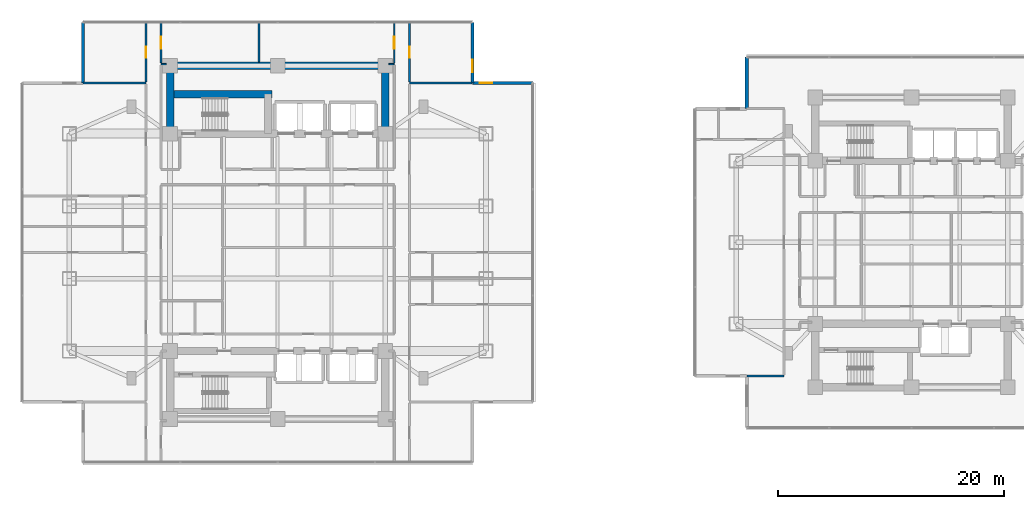
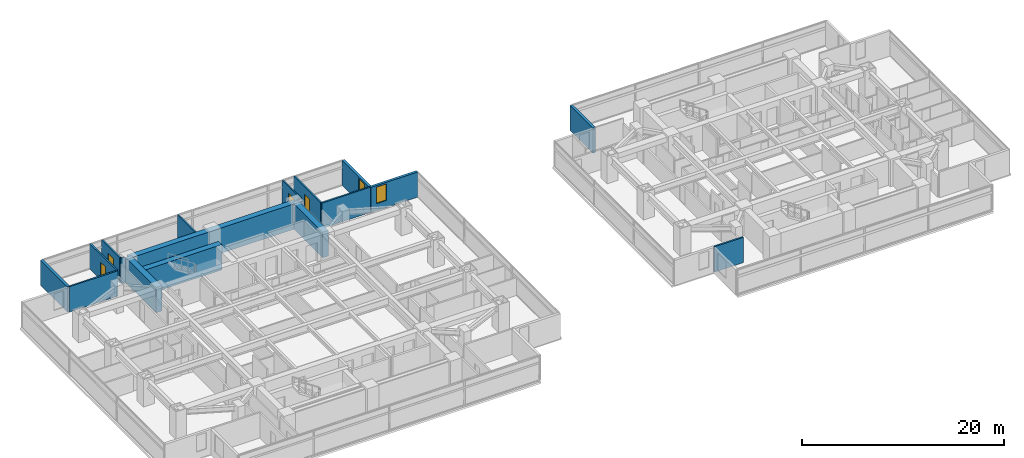
# One storey, part 17 of 27: 18 walls, 4 doors, 2 windows, 6 openings.
"""IFC4 building model written with IfcOpenShell, lengths in metres."""

from ifc_helpers import new_model, si_unit, direction, frame, frame_2d, origin, place, context, subcontext, project, spatial, rectangle, extrude, material, layer, layer_set, type_object, element, fill, save


model = new_model("IFC4")

# Units and contexts
model_context = context("Model", 3, precision=1e-05, world=origin(), true_north=direction((0.0, 1.0)))
body_context = subcontext(model_context, "Body", "Model", "MODEL_VIEW")
ifc_project = project(units=[si_unit("LENGTHUNIT", "METRE"), si_unit("AREAUNIT", "SQUARE_METRE"), si_unit("VOLUMEUNIT", "CUBIC_METRE"), si_unit("PLANEANGLEUNIT", "RADIAN"), si_unit("MASSUNIT", "GRAM", prefix="KILO")], contexts=[model_context])

# Site, building, storey
site_placement = place(None, origin())
site = spatial("IfcSite", under=ifc_project, at=site_placement, CompositionType="ELEMENT")
building_placement = place(site_placement, origin())
building = spatial("IfcBuilding", under=site, at=building_placement, Name="Mirazonda Arch Towers", CompositionType="ELEMENT")
storey_placement = place(building_placement, frame((0.0, 0.0, 75.199951171875)))
storey = spatial("IfcBuildingStorey", under=building, at=storey_placement, Name="L21", CompositionType="ELEMENT", Elevation=75.199951171875)

# Walls
ifc_material_1 = material(Name="Concrete C60/75", Category="concrete")
ifc_layer_1 = layer(ifc_material_1, 0.64990234375, Name="WALL-CORE-650")
ifc_layer_set_1 = layer_set([ifc_layer_1], Name="Concrete C60/75")
wall_type_1 = type_object("IfcWallType", Name="WALL-CORE-650", PredefinedType="SHEAR", material=ifc_layer_set_1)
wall_1_placement = place(storey_placement, frame((11.0, 43.60009765625, 0.0), z_axis=(0.0, 0.0, 1.0), x_axis=(1.0, 0.0, 0.0)))
element("IfcWall", 1, at=wall_1_placement, inside=storey, type_object=wall_type_1, Name="L21 T1N-N Core Shear Wall", PredefinedType="SHEAR", context=body_context, shape_type="SweptSolid", body=[
    extrude(rectangle(XDim=19.0, YDim=0.64990234375, at=frame_2d((9.5, 0.0))), origin(), (0.0, 0.0, 1.0), 3.06005859375),
])
for number, where, z_axis, x_axis, name in (
    (2, (11.0, 37.60009765625, 0.0), (0.0, 0.0, 1.0), (0.0, 1.0, 0.0), "L21 T1N-W Core Shear Wall"),
    (3, (30.0, 37.60009765625, 0.0), (0.0, 0.0, 1.0), (0.0, 1.0, 0.0), "L21 T1N-E Core Shear Wall"),
):
    element("IfcWall", number, at=place(storey_placement, frame(where, z_axis=z_axis, x_axis=x_axis)), inside=storey, type_object=wall_type_1, Name=name, PredefinedType="SHEAR", context=body_context, shape_type="SweptSolid", body=[
        extrude(rectangle(XDim=6.0, YDim=0.64990234375, at=frame_2d((3.0, 0.0))), origin(), (0.0, 0.0, 1.0), 3.06005859375),
    ])
wall_2_placement = place(storey_placement, frame((11.0, 41.093017578125, 0.0), z_axis=(0.0, 0.0, 1.0), x_axis=(1.0, 0.0, 0.0)))
element("IfcWall", 4, at=wall_2_placement, inside=storey, type_object=wall_type_1, Name="L21 T1N-STN Core Shear Wall", PredefinedType="SHEAR", context=body_context, shape_type="SweptSolid", body=[
    extrude(rectangle(XDim=9.0, YDim=0.64990234375, at=frame_2d((4.5, 0.0))), origin(), (0.0, 0.0, 1.0), 3.06005859375),
])

# Wall, opening, window
ifc_material_2 = material(Name="Precast Concrete C40/50", Category="concrete")
ifc_layer_2 = layer(ifc_material_2, 0.280029296875, Name="WALL-EXT-WALL-280")
ifc_layer_set_2 = layer_set([ifc_layer_2], Name="Precast Concrete C40/50")
wall_type_2 = type_object("IfcWallType", Name="WALL-EXT-WALL-280", PredefinedType="SOLIDWALL", material=ifc_layer_set_2)
wall_3_placement = place(storey_placement, frame((37.699951171875, 42.0859375, 0.0), z_axis=(0.0, 0.0, 1.0), x_axis=(0.0, 1.0, 0.0)))
wall_3 = element("IfcWall", 5, at=wall_3_placement, inside=storey, type_object=wall_type_2, Name="L21 T1 Notched NE Corner Wall WL-L21-T1-CNE", PredefinedType="SOLIDWALL", context=body_context, shape_type="SweptSolid", body=[
    extrude(rectangle(XDim=5.340087890625, YDim=0.280029296875, at=frame_2d((2.669921875, 0.0))), origin(), (0.0, 0.0, 1.0), 3.0400390625),
])
opening_1_placement = place(wall_3_placement, frame((0.949951171875, 0.0, 0.85009765625)))
opening_1 = element("IfcOpeningElement", 6, at=opening_1_placement, cuts=wall_3, Name="Opening WN-108", PredefinedType="OPENING", context=body_context, shape_type="SweptSolid", body=[
    extrude(rectangle(XDim=1.10009765625, YDim=2.0, at=frame_2d((0.550048828125, 1.0))), frame((0.0, 0.14990234375, 0.0), z_axis=(0.0, -1.0, 0.0), x_axis=(1.0, 0.0, 0.0)), (0.0, 0.0, 1.0), 0.300048828125),
])
ifc_material_3 = material(Name="Insulated Low-E Solar Glass", Category="glass")
window_type = type_object("IfcWindowType", Name="WIN-NOTCH-1100x2000", PartitioningType="SINGLE_PANEL", PredefinedType="WINDOW", material=ifc_material_3)
window_1_placement = place(opening_1_placement, origin())
window_1 = element("IfcWindow", 7, at=window_1_placement, inside=storey, type_object=window_type, Name="L21 Punched Facade Window WN-L21-T1-CNE", OverallHeight=2.0, OverallWidth=1.10009765625, PartitioningType="SINGLE_PANEL", PredefinedType="WINDOW", context=body_context, shape_type="SweptSolid", body=[
    extrude(rectangle(XDim=1.10009765625, YDim=2.0, at=frame_2d((0.550048828125, 1.0))), frame((0.0, 0.030029296875, 0.0), z_axis=(0.0, -1.0, 0.0), x_axis=(1.0, 0.0, 0.0)), (0.0, 0.0, 1.0), 0.06005859375),
])
fill(opening_1, window_1)

# Wall
wall_4_placement = place(storey_placement, frame((3.300048828125, 47.426025390625, 0.0), z_axis=(0.0, 0.0, 1.0), x_axis=(0.0, -1.0, 0.0)))
element("IfcWall", 8, at=wall_4_placement, inside=storey, type_object=wall_type_2, Name="L21 T1 Corner Notch Return Wall WL-L21-T1-CNW2", PredefinedType="SOLIDWALL", context=body_context, shape_type="SweptSolid", body=[
    extrude(rectangle(XDim=5.340087890625, YDim=0.280029296875, at=frame_2d((2.669921875, 0.0))), origin(), (0.0, 0.0, 1.0), 3.0400390625),
])

# Wall, opening, window
wall_5_placement = place(storey_placement, frame((43.0400390625, 42.0859375, 0.0), z_axis=(0.0, 0.0, 1.0), x_axis=(-1.0, 0.0, 0.0)))
wall_5 = element("IfcWall", 9, at=wall_5_placement, inside=storey, type_object=wall_type_2, Name="L21 T1 Corner Notch Return Wall WL-L21-T1-CNE2", PredefinedType="SOLIDWALL", context=body_context, shape_type="SweptSolid", body=[
    extrude(rectangle(XDim=5.340087890625, YDim=0.280029296875, at=frame_2d((2.669921875, 0.0))), origin(), (0.0, 0.0, 1.0), 3.0400390625),
])
opening_2_placement = place(wall_5_placement, frame((3.590087890625, 0.0, 0.85009765625)))
opening_2 = element("IfcOpeningElement", 10, at=opening_2_placement, cuts=wall_5, Name="Opening WN-108", PredefinedType="OPENING", context=body_context, shape_type="SweptSolid", body=[
    extrude(rectangle(XDim=1.10009765625, YDim=2.0, at=frame_2d((0.550048828125, 1.0))), frame((0.0, 0.14990234375, 0.0), z_axis=(0.0, -1.0, 0.0), x_axis=(1.0, 0.0, 0.0)), (0.0, 0.0, 1.0), 0.300048828125),
])
window_2_placement = place(opening_2_placement, origin())
window_2 = element("IfcWindow", 11, at=window_2_placement, inside=storey, type_object=window_type, Name="L21 Punched Facade Window WN-L21-T1-CNE2", OverallHeight=2.0, OverallWidth=1.10009765625, PartitioningType="SINGLE_PANEL", PredefinedType="WINDOW", context=body_context, shape_type="SweptSolid", body=[
    extrude(rectangle(XDim=1.10009765625, YDim=2.0, at=frame_2d((0.550048828125, 1.0))), frame((0.0, 0.030029296875, 0.0), z_axis=(0.0, -1.0, 0.0), x_axis=(1.0, 0.0, 0.0)), (0.0, 0.0, 1.0), 0.06005859375),
])
fill(opening_2, window_2)

# Walls
wall_6_placement = place(storey_placement, frame((61.93994140625, 44.359130859375, 0.0), z_axis=(0.0, 0.0, 1.0), x_axis=(0.0, -1.0, 0.0)))
element("IfcWall", 12, at=wall_6_placement, inside=storey, type_object=wall_type_2, Name="L21 T2 Corner Notch Return Wall WL-L21-T2-CNW2", PredefinedType="SOLIDWALL", context=body_context, shape_type="SweptSolid", body=[
    extrude(rectangle(XDim=4.546142578125, YDim=0.280029296875, at=frame_2d((2.27294921875, 0.0))), origin(), (0.0, 0.0, 1.0), 3.0400390625),
])
ifc_material_4 = material(Name="Fire-Rated Gypsum Stud Partition")
ifc_layer_3 = layer(ifc_material_4, 0.14990234375, Name="WALL-PART-CORR-150")
ifc_layer_set_3 = layer_set([ifc_layer_3], Name="Fire-Rated Gypsum Stud Partition")
wall_type_3 = type_object("IfcWallType", Name="WALL-PART-CORR-150", PredefinedType="PARTITIONING", material=ifc_layer_set_3)
for number, where, z_axis, x_axis, name in (
    (13, (10.199951171875, 43.75, 0.0), (0.0, 0.0, 1.0), (1.0, 0.0, 0.0), "L21 Interior Partition 055"),
    (14, (30.320068359375, 43.75, 0.0), (0.0, 0.0, 1.0), (1.0, 0.0, 0.0), "L21 Interior Partition 056"),
):
    element("IfcWall", number, at=place(storey_placement, frame(where, z_axis=z_axis, x_axis=x_axis)), inside=storey, type_object=wall_type_3, Name=name, PredefinedType="PARTITIONING", context=body_context, shape_type="SweptSolid", body=[
        extrude(rectangle(XDim=0.47998046875, YDim=0.14990234375, at=frame_2d((0.239990234375, 0.0))), origin(), (0.0, 0.0, 1.0), 3.06005859375),
    ])

# Wall, opening, door
wall_7_placement = place(storey_placement, frame((10.199951171875, 43.8349609375, 0.0), z_axis=(0.0, 0.0, 1.0), x_axis=(0.0, 1.0, 0.0)))
wall_7 = element("IfcWall", 15, at=wall_7_placement, inside=storey, type_object=wall_type_3, Name="L21 Interior Partition 070", PredefinedType="PARTITIONING", context=body_context, shape_type="SweptSolid", body=[
    extrude(rectangle(XDim=3.591064453125, YDim=0.14990234375, at=frame_2d((1.79541015625, 0.0))), origin(), (0.0, 0.0, 1.0), 3.06005859375),
])
opening_3_placement = place(wall_7_placement, frame((1.2705078125, 0.0, 0.0)))
opening_3 = element("IfcOpeningElement", 16, at=opening_3_placement, cuts=wall_7, Name="Opening DR-121", PredefinedType="OPENING", context=body_context, shape_type="SweptSolid", body=[
    extrude(rectangle(XDim=1.050048828125, YDim=2.199951171875, at=frame_2d((0.52490234375, 1.10009765625))), frame((0.0, 0.0849609375, 0.0), z_axis=(0.0, -1.0, 0.0), x_axis=(1.0, 0.0, 0.0)), (0.0, 0.0, 1.0), 0.169921875),
])
ifc_material_5 = material(Name="Architectural Brushed Steel S355", Category="steel")
door_type_1 = type_object("IfcDoorType", Name="DOOR-SUITE-FD60-1050", OperationType="NOTDEFINED", PredefinedType="DOOR", material=ifc_material_5)
door_1_placement = place(opening_3_placement, origin())
door_1 = element("IfcDoor", 17, at=door_1_placement, inside=storey, type_object=door_type_1, Name="L21 North Reading Salon West Door", OperationType="SINGLE_SWING_LEFT", OverallHeight=2.199951171875, OverallWidth=1.050048828125, PredefinedType="DOOR", context=body_context, shape_type="SweptSolid", body=[
    extrude(rectangle(XDim=1.050048828125, YDim=2.199951171875, at=frame_2d((0.52490234375, 1.10009765625))), frame((0.0, 0.02490234375, 0.0), z_axis=(0.0, -1.0, 0.0), x_axis=(1.0, 0.0, 0.0)), (0.0, 0.0, 1.0), 0.050048828125),
])
fill(opening_3, door_1)

# Wall
wall_8_placement = place(storey_placement, frame((18.85205078125, 43.919921875, 0.0), z_axis=(0.0, 0.0, 1.0), x_axis=(0.0, 1.0, 0.0)))
element("IfcWall", 18, at=wall_8_placement, inside=storey, type_object=wall_type_3, Name="L21 Interior Partition 077", PredefinedType="PARTITIONING", context=body_context, shape_type="SweptSolid", body=[
    extrude(rectangle(XDim=3.506103515625, YDim=0.14990234375, at=frame_2d((1.7529296875, 0.0))), origin(), (0.0, 0.0, 1.0), 3.06005859375),
])

# Wall, opening, door
wall_9_placement = place(storey_placement, frame((30.800048828125, 43.8349609375, 0.0), z_axis=(0.0, 0.0, 1.0), x_axis=(0.0, 1.0, 0.0)))
wall_9 = element("IfcWall", 19, at=wall_9_placement, inside=storey, type_object=wall_type_3, Name="L21 Interior Partition 097", PredefinedType="PARTITIONING", context=body_context, shape_type="SweptSolid", body=[
    extrude(rectangle(XDim=3.591064453125, YDim=0.14990234375, at=frame_2d((1.79541015625, 0.0))), origin(), (0.0, 0.0, 1.0), 3.06005859375),
])
opening_4_placement = place(wall_9_placement, frame((1.2705078125, 0.0, 0.0)))
opening_4 = element("IfcOpeningElement", 20, at=opening_4_placement, cuts=wall_9, Name="Opening DR-121", PredefinedType="OPENING", context=body_context, shape_type="SweptSolid", body=[
    extrude(rectangle(XDim=1.050048828125, YDim=2.199951171875, at=frame_2d((0.52490234375, 1.10009765625))), frame((0.0, 0.0849609375, 0.0), z_axis=(0.0, -1.0, 0.0), x_axis=(1.0, 0.0, 0.0)), (0.0, 0.0, 1.0), 0.169921875),
])
door_2_placement = place(opening_4_placement, origin())
door_2 = element("IfcDoor", 21, at=door_2_placement, inside=storey, type_object=door_type_1, Name="L21 North Reading Salon East Door", OperationType="SINGLE_SWING_RIGHT", OverallHeight=2.199951171875, OverallWidth=1.050048828125, PredefinedType="DOOR", context=body_context, shape_type="SweptSolid", body=[
    extrude(rectangle(XDim=1.050048828125, YDim=2.199951171875, at=frame_2d((0.52490234375, 1.10009765625))), frame((0.0, 0.02490234375, 0.0), z_axis=(0.0, -1.0, 0.0), x_axis=(1.0, 0.0, 0.0)), (0.0, 0.0, 1.0), 0.050048828125),
])
fill(opening_4, door_2)

# Walls
ifc_material_6 = material(Name="Fire-Rated Gypsum Twin-Stud Assembly")
ifc_layer_4 = layer(ifc_material_6, 0.179931640625, Name="WALL-PART-DEMISE-180")
ifc_layer_set_4 = layer_set([ifc_layer_4], Name="Fire-Rated Gypsum Twin-Stud Assembly")
wall_type_4 = type_object("IfcWallType", Name="WALL-PART-DEMISE-180", PredefinedType="PARTITIONING", material=ifc_layer_set_4)
wall_10_placement = place(storey_placement, frame((61.9599609375, 16.18701171875, 0.0), z_axis=(0.0, 0.0, 1.0), x_axis=(1.0, 0.0, 0.0)))
element("IfcWall", 22, at=wall_10_placement, inside=storey, type_object=wall_type_4, Name="L21 Interior Partition 009", PredefinedType="PARTITIONING", context=body_context, shape_type="SweptSolid", body=[
    extrude(rectangle(XDim=3.2900390625, YDim=0.179931640625, at=frame_2d((1.64501953125, 0.0))), origin(), (0.0, 0.0, 1.0), 3.06005859375),
])
for number, where, z_axis, x_axis, name in (
    (23, (3.320068359375, 42.0859375, 0.0), (0.0, 0.0, 1.0), (1.0, 0.0, 0.0), "L21 Interior Partition 053"),
    (24, (32.139892578125, 42.0859375, 0.0), (0.0, 0.0, 1.0), (1.0, 0.0, 0.0), "L21 Interior Partition 054"),
):
    element("IfcWall", number, at=place(storey_placement, frame(where, z_axis=z_axis, x_axis=x_axis)), inside=storey, type_object=wall_type_4, Name=name, PredefinedType="PARTITIONING", context=body_context, shape_type="SweptSolid", body=[
        extrude(rectangle(XDim=5.5400390625, YDim=0.179931640625, at=frame_2d((2.77001953125, 0.0))), origin(), (0.0, 0.0, 1.0), 3.06005859375),
    ])

# Wall, opening, door
wall_11_placement = place(storey_placement, frame((8.860107421875, 42.18603515625, 0.0), z_axis=(0.0, 0.0, 1.0), x_axis=(0.0, 1.0, 0.0)))
wall_11 = element("IfcWall", 25, at=wall_11_placement, inside=storey, type_object=wall_type_4, Name="L21 Interior Partition 064", PredefinedType="PARTITIONING", context=body_context, shape_type="SweptSolid", body=[
    extrude(rectangle(XDim=5.239990234375, YDim=0.179931640625, at=frame_2d((2.6201171875, 0.0))), origin(), (0.0, 0.0, 1.0), 3.06005859375),
])
opening_5_placement = place(wall_11_placement, frame((2.14501953125, 0.0, 0.0)))
opening_5 = element("IfcOpeningElement", 26, at=opening_5_placement, cuts=wall_11, Name="Opening DR-104", PredefinedType="OPENING", context=body_context, shape_type="SweptSolid", body=[
    extrude(rectangle(XDim=0.949951171875, YDim=2.14990234375, at=frame_2d((0.47509765625, 1.074951171875))), frame((0.0, 0.099853515625, 0.0), z_axis=(0.0, -1.0, 0.0), x_axis=(1.0, 0.0, 0.0)), (0.0, 0.0, 1.0), 0.199951171875),
])
door_type_2 = type_object("IfcDoorType", Name="DOOR-ROOM-950", OperationType="NOTDEFINED", PredefinedType="DOOR", material=ifc_material_5)
door_3_placement = place(opening_5_placement, origin())
door_3 = element("IfcDoor", 27, at=door_3_placement, inside=storey, type_object=door_type_2, Name="L21 North Reading Salon Alcove West Door", OperationType="SINGLE_SWING_LEFT", OverallHeight=2.14990234375, OverallWidth=0.949951171875, PredefinedType="DOOR", context=body_context, shape_type="SweptSolid", body=[
    extrude(rectangle(XDim=0.949951171875, YDim=2.14990234375, at=frame_2d((0.47509765625, 1.074951171875))), frame((0.0, 0.02490234375, 0.0), z_axis=(0.0, -1.0, 0.0), x_axis=(1.0, 0.0, 0.0)), (0.0, 0.0, 1.0), 0.050048828125),
])
fill(opening_5, door_3)

wall_12_placement = place(storey_placement, frame((32.139892578125, 42.18603515625, 0.0), z_axis=(0.0, 0.0, 1.0), x_axis=(0.0, 1.0, 0.0)))
wall_12 = element("IfcWall", 28, at=wall_12_placement, inside=storey, type_object=wall_type_4, Name="L21 Interior Partition 103", PredefinedType="PARTITIONING", context=body_context, shape_type="SweptSolid", body=[
    extrude(rectangle(XDim=5.239990234375, YDim=0.179931640625, at=frame_2d((2.6201171875, 0.0))), origin(), (0.0, 0.0, 1.0), 3.06005859375),
])
opening_6_placement = place(wall_12_placement, frame((2.14501953125, 0.0, 0.0)))
opening_6 = element("IfcOpeningElement", 29, at=opening_6_placement, cuts=wall_12, Name="Opening DR-104", PredefinedType="OPENING", context=body_context, shape_type="SweptSolid", body=[
    extrude(rectangle(XDim=0.949951171875, YDim=2.14990234375, at=frame_2d((0.47509765625, 1.074951171875))), frame((0.0, 0.099853515625, 0.0), z_axis=(0.0, -1.0, 0.0), x_axis=(1.0, 0.0, 0.0)), (0.0, 0.0, 1.0), 0.199951171875),
])
door_4_placement = place(opening_6_placement, origin())
door_4 = element("IfcDoor", 30, at=door_4_placement, inside=storey, type_object=door_type_2, Name="L21 North Reading Salon Alcove East Door", OperationType="SINGLE_SWING_RIGHT", OverallHeight=2.14990234375, OverallWidth=0.949951171875, PredefinedType="DOOR", context=body_context, shape_type="SweptSolid", body=[
    extrude(rectangle(XDim=0.949951171875, YDim=2.14990234375, at=frame_2d((0.47509765625, 1.074951171875))), frame((0.0, 0.02490234375, 0.0), z_axis=(0.0, -1.0, 0.0), x_axis=(1.0, 0.0, 0.0)), (0.0, 0.0, 1.0), 0.050048828125),
])
fill(opening_6, door_4)

save(model, "model.ifc")
